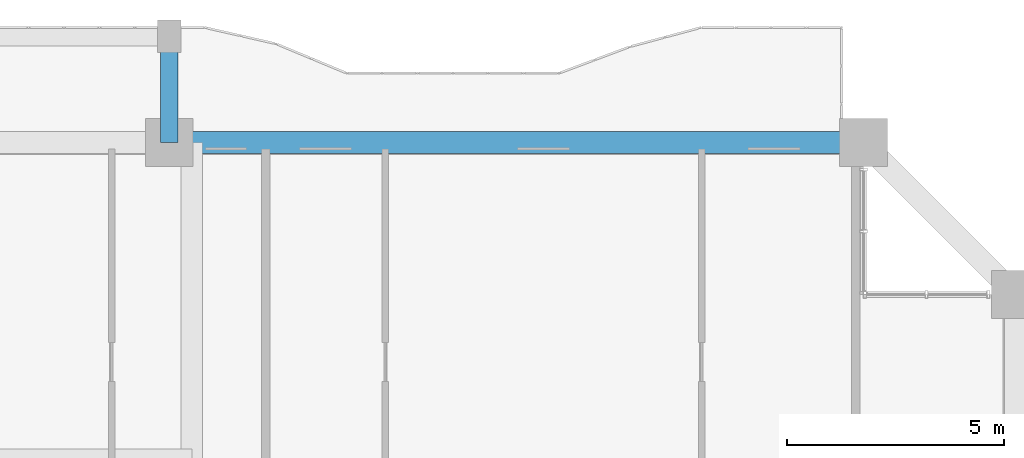
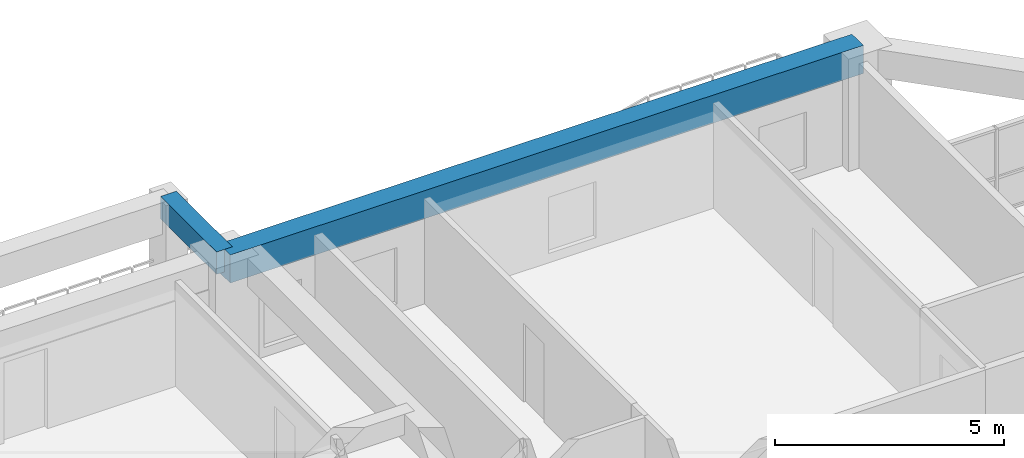
# One storey, part 11 of 27: 2 beams.
"""IFC4 building model written with IfcOpenShell, lengths in metres."""

from ifc_helpers import new_model, si_unit, direction, frame, origin, origin_2d, place, context, subcontext, project, spatial, rectangle, extrude, source, transform, mapped, material, material_profile, profile_set, type_object, element, save


model = new_model("IFC4")

# Units and contexts
model_context = context("Model", 3, precision=1e-05, world=origin(), true_north=direction((0.0, 1.0)))
body_context = subcontext(model_context, "Body", "Model", "MODEL_VIEW")
ifc_project = project(units=[si_unit("LENGTHUNIT", "METRE"), si_unit("AREAUNIT", "SQUARE_METRE"), si_unit("VOLUMEUNIT", "CUBIC_METRE"), si_unit("PLANEANGLEUNIT", "RADIAN"), si_unit("MASSUNIT", "GRAM", prefix="KILO")], contexts=[model_context])

# Site, building, storey
site_placement = place(None, origin())
site = spatial("IfcSite", under=ifc_project, at=site_placement, CompositionType="ELEMENT")
building_placement = place(site_placement, origin())
building = spatial("IfcBuilding", under=site, at=building_placement, Name="Saelheon Loggia Tower", CompositionType="ELEMENT")
storey_placement = place(building_placement, frame((0.0, 0.0, 52.39990234375)))
storey = spatial("IfcBuildingStorey", under=building, at=storey_placement, Name="L16", CompositionType="ELEMENT", Elevation=52.39990234375)

# Beams
ifc_material_1 = material(Name="Concrete C45/55", Category="concrete")
ifc_material_profile_1 = material_profile(ifc_material_1, rectangle(XDim=0.5, YDim=0.75, at=origin_2d()), Name="RC-500x750")
ifc_profile_set_1 = profile_set([ifc_material_profile_1], Name="Concrete C45/55")
beam_type_1 = type_object("IfcBeamType", Name="Beam_PerimGirder_RC500x750", PredefinedType="BEAM", material=ifc_profile_set_1)
shared_shape_1 = source(origin(), body_context, "Body", "SweptSolid", [
    extrude(rectangle(XDim=0.5, YDim=0.75, at=origin_2d()), origin(), (0.0, 0.0, 1.0), 16.0),
])
beam_1_placement = place(storey_placement, frame((60.5, 51.0, 2.625), z_axis=(-1.0, 0.0, 0.0), x_axis=(0.0, -1.0, 0.0)))
element("IfcBeam", 1, at=beam_1_placement, inside=storey, type_object=beam_type_1, Name="L16 Perimeter Frame Girder 09", PredefinedType="BEAM", context=body_context, shape_type="MappedRepresentation", body=[
    mapped(shared_shape_1, transform((0.0, 0.0, 0.0), scale=1.0)),
])
ifc_material_2 = material(Name="Precast Concrete C45/55", Category="concrete")
ifc_material_profile_2 = material_profile(ifc_material_2, rectangle(XDim=0.39990234375, YDim=0.60009765625, at=origin_2d()), Name="RC-400x600")
ifc_profile_set_2 = profile_set([ifc_material_profile_2], Name="Precast Concrete C45/55")
beam_type_2 = type_object("IfcBeamType", Name="Beam_LoggiaTie_RC400x600", PredefinedType="BEAM", material=ifc_profile_set_2)
shared_shape_2 = source(origin(), body_context, "Body", "SweptSolid", [
    extrude(rectangle(XDim=0.39990234375, YDim=0.60009765625, at=origin_2d()), origin(), (0.0, 0.0, 1.0), 2.449951171875),
])
beam_2_placement = place(storey_placement, frame((44.5, 51.0, 2.7001953125), z_axis=(0.0, 1.0, 0.0), x_axis=(-1.0, 0.0, 0.0)))
element("IfcBeam", 2, at=beam_2_placement, inside=storey, type_object=beam_type_2, Name="L16 Loggia Frame Tie Beam LP-N2", PredefinedType="BEAM", context=body_context, shape_type="MappedRepresentation", body=[
    mapped(shared_shape_2, transform((0.0, 0.0, 0.0), scale=1.0)),
])

save(model, "model.ifc")
